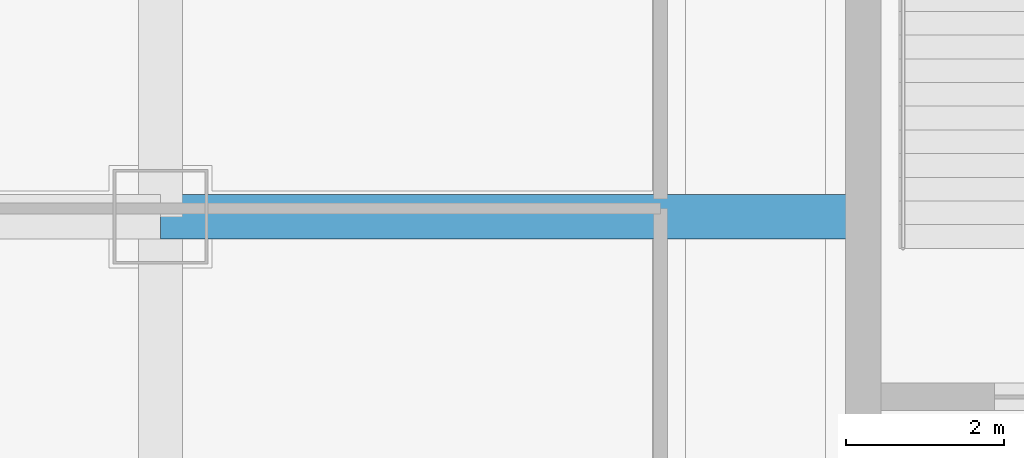
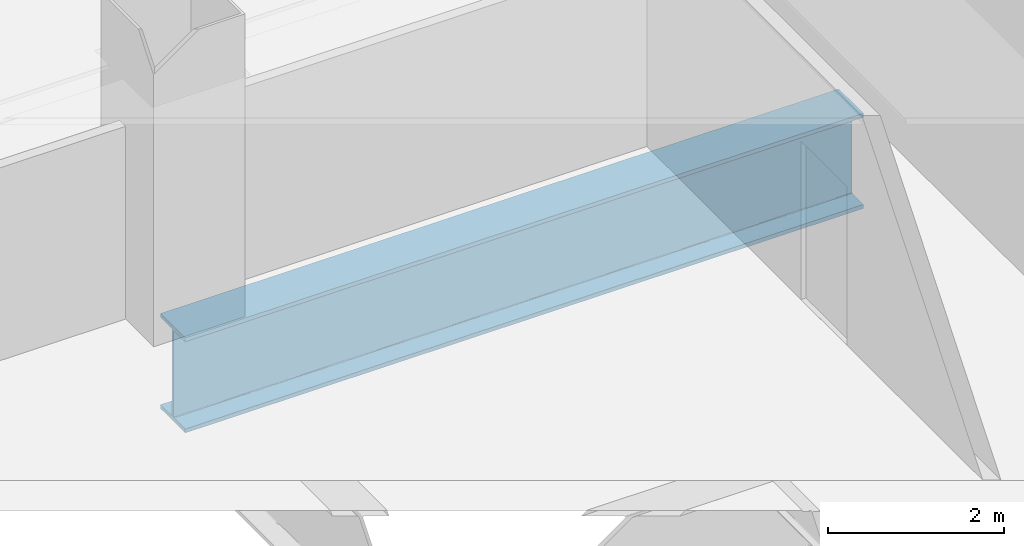
# One storey, part 4 of 28: 1 beam.
"""IFC4 building model written with IfcOpenShell, lengths in metres."""

from ifc_helpers import new_model, si_unit, direction, frame, origin, origin_2d, place, context, subcontext, project, spatial, i_section, extrude, material, material_profile, profile_set, type_object, element, save


model = new_model("IFC4")

# Units and contexts
model_context = context("Model", 3, precision=1e-05, world=origin(), true_north=direction((0.0, 1.0)))
body_context = subcontext(model_context, "Body", "Model", "MODEL_VIEW")
ifc_project = project(units=[si_unit("LENGTHUNIT", "METRE"), si_unit("AREAUNIT", "SQUARE_METRE"), si_unit("VOLUMEUNIT", "CUBIC_METRE"), si_unit("PLANEANGLEUNIT", "RADIAN"), si_unit("MASSUNIT", "GRAM", prefix="KILO")], contexts=[model_context])

# Site, building, storey
site_placement = place(None, origin())
site = spatial("IfcSite", under=ifc_project, at=site_placement, CompositionType="ELEMENT")
building_placement = place(site_placement, origin())
building = spatial("IfcBuilding", under=site, at=building_placement, Name="Punatoya Terracotta Tower", CompositionType="ELEMENT")
storey_placement = place(building_placement, frame((0.0, 0.0, 317.39990234375)))
storey = spatial("IfcBuildingStorey", under=building, at=storey_placement, Name="L75", CompositionType="ELEMENT", Elevation=317.39990234375)

# Beam
ifc_material = material(Name="Steel S460", Category="steel")
ifc_material_profile = material_profile(ifc_material, i_section(OverallWidth=0.56005859375, OverallDepth=1.320068359375, WebThickness=0.035888671875, FlangeThickness=0.054931640625, FilletRadius=0.01806640625, at=origin_2d()))
ifc_profile_set = profile_set([ifc_material_profile], Name="Steel S460")
beam_type = type_object("IfcBeamType", Name="BM-TG-BLK", PredefinedType="BEAM", material=ifc_profile_set)
beam_placement = place(storey_placement, frame((-19.10009765625, -3.39990234375, -0.93994140625), z_axis=(1.0, 0.0, 0.0), x_axis=(0.0, 1.0, 0.0)))
element("IfcBeam", 1, at=beam_placement, inside=storey, type_object=beam_type, Name="BM-L75-PR-WD", PredefinedType="BEAM", context=body_context, shape_type="SweptSolid", body=[
    extrude(i_section(OverallWidth=0.56005859375, OverallDepth=1.320068359375, WebThickness=0.035888671875, FlangeThickness=0.054931640625, FilletRadius=0.01806640625, at=origin_2d()), origin(), (0.0, 0.0, 1.0), 8.900146484375),
])

save(model, "model.ifc")
